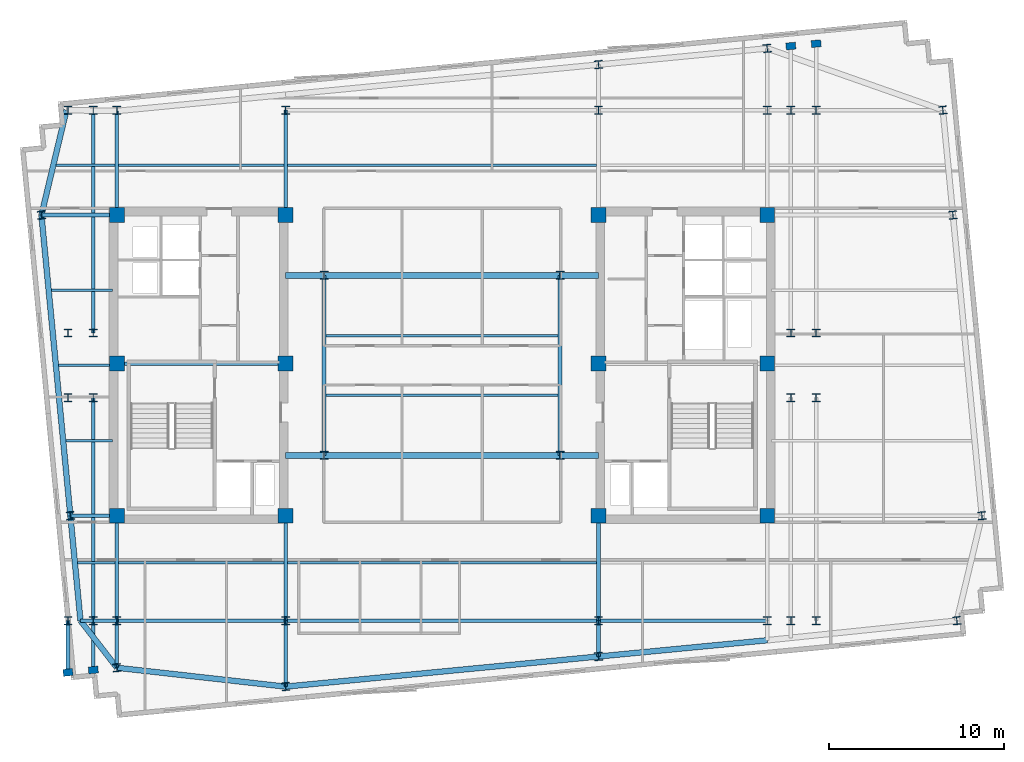
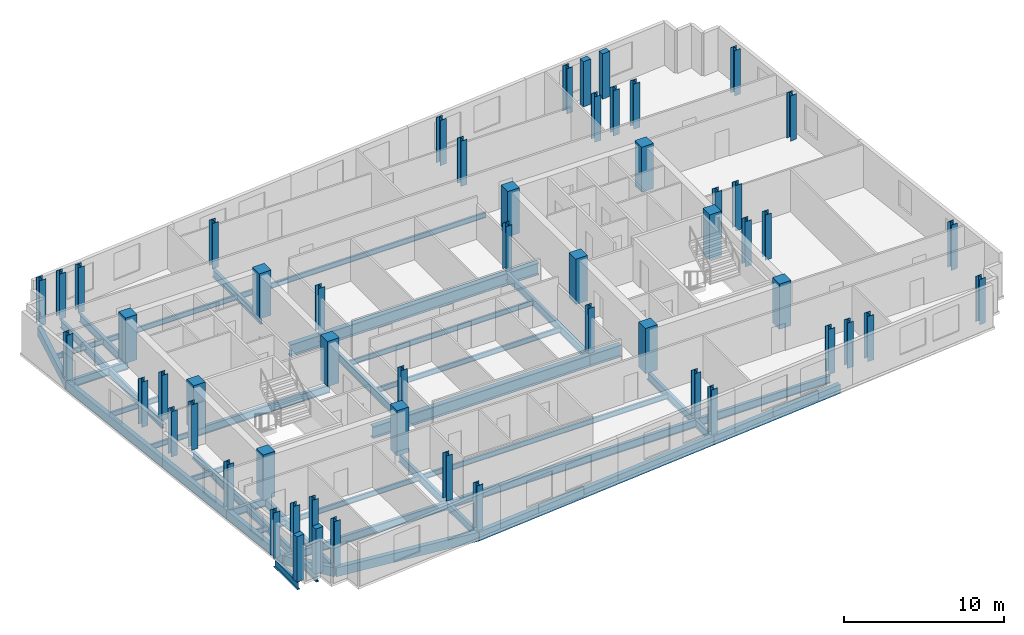
# One storey, part 1 of 9: 55 columns, 45 beams.
"""IFC4 building model written with IfcOpenShell, lengths in metres."""

from ifc_helpers import new_model, si_unit, direction, frame, origin, origin_2d, place, context, subcontext, project, spatial, rectangle, i_section, extrude, material, material_profile, profile_set, type_object, element, save


model = new_model("IFC4")

# Units and contexts
model_context = context("Model", 3, precision=1e-05, world=origin(), true_north=direction((0.0, 1.0)))
body_context = subcontext(model_context, "Body", "Model", "MODEL_VIEW")
ifc_project = project(units=[si_unit("LENGTHUNIT", "METRE"), si_unit("AREAUNIT", "SQUARE_METRE"), si_unit("VOLUMEUNIT", "CUBIC_METRE"), si_unit("PLANEANGLEUNIT", "RADIAN"), si_unit("MASSUNIT", "GRAM", prefix="KILO")], contexts=[model_context])

# Site, building, storey
site_placement = place(None, origin())
site = spatial("IfcSite", under=ifc_project, at=site_placement, CompositionType="ELEMENT")
building_placement = place(site_placement, origin())
building = spatial("IfcBuilding", under=site, at=building_placement, Name="Velakula Bourse", CompositionType="ELEMENT")
storey_placement = place(building_placement, frame((0.0, 0.0, 275.85009765625)))
storey = spatial("IfcBuildingStorey", under=building, at=storey_placement, Name="L75", CompositionType="ELEMENT", Elevation=275.85009765625)

# Columns
ifc_material_1 = material(Name="Concrete M50 (fck 50 MPa)", Category="concrete")
ifc_material_profile_1 = material_profile(ifc_material_1, rectangle(XDim=0.85009765625, YDim=0.85009765625, at=origin_2d()), Name="Concrete M50 (fck 50 MPa)")
ifc_profile_set_1 = profile_set([ifc_material_profile_1], Name="Concrete M50 (fck 50 MPa)")
column_type_1 = type_object("IfcColumnType", Name="COL-RC-850", PredefinedType="COLUMN", material=ifc_profile_set_1)
for number, where, z_axis, x_axis, name in (
    (1, (-8.949951171875, -8.60009765625, 0.0), (0.0, 0.0, 1.0), (1.0, 0.0, 0.0), "L75 Core Boundary Column 01"),
    (2, (-8.949951171875, 0.10009765625, 0.0), (0.0, 0.0, 1.0), (1.0, 0.0, 0.0), "L75 Core Boundary Column 02"),
    (3, (-8.949951171875, 8.60009765625, 0.0), (0.0, 0.0, 1.0), (1.0, 0.0, 0.0), "L75 Core Boundary Column 03"),
    (4, (-18.60009765625, -8.60009765625, 0.0), (0.0, 0.0, 1.0), (1.0, 0.0, 0.0), "L75 Core Boundary Column 04"),
    (5, (-18.60009765625, 0.10009765625, 0.0), (0.0, 0.0, 1.0), (1.0, 0.0, 0.0), "L75 Core Boundary Column 05"),
    (6, (-18.60009765625, 8.60009765625, 0.0), (0.0, 0.0, 1.0), (1.0, 0.0, 0.0), "L75 Core Boundary Column 06"),
    (7, (8.949951171875, -8.60009765625, 0.0), (0.0, 0.0, 1.0), (1.0, 0.0, 0.0), "L75 Core Boundary Column 07"),
    (8, (8.949951171875, 0.10009765625, 0.0), (0.0, 0.0, 1.0), (1.0, 0.0, 0.0), "L75 Core Boundary Column 08"),
    (9, (8.949951171875, 8.60009765625, 0.0), (0.0, 0.0, 1.0), (1.0, 0.0, 0.0), "L75 Core Boundary Column 09"),
    (10, (18.60009765625, -8.60009765625, 0.0), (0.0, 0.0, 1.0), (1.0, 0.0, 0.0), "L75 Core Boundary Column 10"),
    (11, (18.60009765625, 0.10009765625, 0.0), (0.0, 0.0, 1.0), (1.0, 0.0, 0.0), "L75 Core Boundary Column 11"),
    (12, (18.60009765625, 8.60009765625, 0.0), (0.0, 0.0, 1.0), (1.0, 0.0, 0.0), "L75 Core Boundary Column 12"),
):
    element("IfcColumn", number, at=place(storey_placement, frame(where, z_axis=z_axis, x_axis=x_axis)), inside=storey, type_object=column_type_1, Name=name, PredefinedType="COLUMN", context=body_context, shape_type="SweptSolid", body=[
        extrude(rectangle(XDim=0.85009765625, YDim=0.85009765625, at=origin_2d()), origin(), (0.0, 0.0, 1.0), 3.449951171875),
    ])
ifc_material_2 = material(Name="Steel IS 2062 Grade 350 (E350)", Category="steel")
ifc_material_profile_2 = material_profile(ifc_material_2, i_section(OverallWidth=0.449951171875, OverallDepth=0.449951171875, WebThickness=0.02197265625, FlangeThickness=0.031982421875, at=origin_2d()), Name="Steel IS 2062 Grade 350 (E350)")
ifc_profile_set_2 = profile_set([ifc_material_profile_2], Name="Steel IS 2062 Grade 350 (E350)")
column_type_2 = type_object("IfcColumnType", Name="COL-STL-450", PredefinedType="COLUMN", material=ifc_profile_set_2)
for number, where, z_axis, x_axis, name in (
    (13, (-6.75, -5.14990234375, 0.0), (0.0, 0.0, 1.0), (1.0, 0.0, 0.0), "L75 Central Spine Column 01"),
    (14, (-6.75, 5.14990234375, 0.0), (0.0, 0.0, 1.0), (1.0, 0.0, 0.0), "L75 Central Spine Column 02"),
    (15, (6.75, -5.14990234375, 0.0), (0.0, 0.0, 1.0), (1.0, 0.0, 0.0), "L75 Central Spine Column 03"),
    (16, (6.75, 5.14990234375, 0.0), (0.0, 0.0, 1.0), (1.0, 0.0, 0.0), "L75 Central Spine Column 04"),
    (17, (-21.39990234375, -14.60009765625, 0.0), (0.0, 0.0, 1.0), (1.0, 0.0, 0.0), "L75 Tower Fulcrum Column 01"),
    (18, (-21.39990234375, 14.60009765625, 0.0), (0.0, 0.0, 1.0), (1.0, 0.0, 0.0), "L75 Tower Fulcrum Column 02"),
    (19, (-19.949951171875, -14.60009765625, 0.0), (0.0, 0.0, 1.0), (1.0, 0.0, 0.0), "L75 Tower Fulcrum Column 03"),
    (20, (-19.949951171875, 14.60009765625, 0.0), (0.0, 0.0, 1.0), (1.0, 0.0, 0.0), "L75 Tower Fulcrum Column 04"),
    (21, (-18.60009765625, -14.60009765625, 0.0), (0.0, 0.0, 1.0), (1.0, 0.0, 0.0), "L75 Tower Fulcrum Column 05"),
    (22, (-18.60009765625, 14.60009765625, 0.0), (0.0, 0.0, 1.0), (1.0, 0.0, 0.0), "L75 Tower Fulcrum Column 06"),
    (23, (-8.949951171875, -14.60009765625, 0.0), (0.0, 0.0, 1.0), (1.0, 0.0, 0.0), "L75 Tower Fulcrum Column 07"),
    (24, (-8.949951171875, 14.60009765625, 0.0), (0.0, 0.0, 1.0), (1.0, 0.0, 0.0), "L75 Tower Fulcrum Column 08"),
    (25, (8.949951171875, -14.60009765625, 0.0), (0.0, 0.0, 1.0), (1.0, 0.0, 0.0), "L75 Tower Fulcrum Column 09"),
    (26, (8.949951171875, 14.60009765625, 0.0), (0.0, 0.0, 1.0), (1.0, 0.0, 0.0), "L75 Tower Fulcrum Column 10"),
    (27, (18.60009765625, -14.60009765625, 0.0), (0.0, 0.0, 1.0), (1.0, 0.0, 0.0), "L75 Tower Fulcrum Column 11"),
    (28, (18.60009765625, 14.60009765625, 0.0), (0.0, 0.0, 1.0), (1.0, 0.0, 0.0), "L75 Tower Fulcrum Column 12"),
    (29, (19.949951171875, -14.60009765625, 0.0), (0.0, 0.0, 1.0), (1.0, 0.0, 0.0), "L75 Tower Fulcrum Column 13"),
    (30, (19.949951171875, 14.60009765625, 0.0), (0.0, 0.0, 1.0), (1.0, 0.0, 0.0), "L75 Tower Fulcrum Column 14"),
    (31, (21.39990234375, -14.60009765625, 0.0), (0.0, 0.0, 1.0), (1.0, 0.0, 0.0), "L75 Tower Fulcrum Column 15"),
    (32, (21.39990234375, 14.60009765625, 0.0), (0.0, 0.0, 1.0), (1.0, 0.0, 0.0), "L75 Tower Fulcrum Column 16"),
    (33, (-21.39990234375, -1.85009765625, 0.0), (0.0, 0.0, 1.0), (1.0, 0.0, 0.0), "L75 Tower Fulcrum Column 17"),
    (34, (-21.39990234375, 1.85009765625, 0.0), (0.0, 0.0, 1.0), (1.0, 0.0, 0.0), "L75 Tower Fulcrum Column 18"),
    (35, (-19.949951171875, -1.85009765625, 0.0), (0.0, 0.0, 1.0), (1.0, 0.0, 0.0), "L75 Tower Fulcrum Column 19"),
    (36, (-19.949951171875, 1.85009765625, 0.0), (0.0, 0.0, 1.0), (1.0, 0.0, 0.0), "L75 Tower Fulcrum Column 20"),
    (37, (19.949951171875, -1.85009765625, 0.0), (0.0, 0.0, 1.0), (1.0, 0.0, 0.0), "L75 Tower Fulcrum Column 21"),
    (38, (19.949951171875, 1.85009765625, 0.0), (0.0, 0.0, 1.0), (1.0, 0.0, 0.0), "L75 Tower Fulcrum Column 22"),
    (39, (21.39990234375, -1.85009765625, 0.0), (0.0, 0.0, 1.0), (1.0, 0.0, 0.0), "L75 Tower Fulcrum Column 23"),
    (40, (21.39990234375, 1.85009765625, 0.0), (0.0, 0.0, 1.0), (1.0, 0.0, 0.0), "L75 Tower Fulcrum Column 24"),
    (41, (-18.60009765625, -17.294921875, 0.0), (0.0, 0.0, 1.0), (0.995396198367, 0.09584575252, 0.0), "L75 Block B6 Perimeter Column S1"),
    (42, (-8.949951171875, -18.375, 0.0), (0.0, 0.0, 1.0), (0.995396198367, 0.09584575252, 0.0), "L75 Block B6 Perimeter Column S2"),
    (43, (8.949951171875, -16.6513671875, 0.0), (0.0, 0.0, 1.0), (0.995396198367, 0.09584575252, 0.0), "L75 Block B6 Perimeter Column S3"),
    (44, (8.949951171875, 17.20458984375, 0.0), (0.0, 0.0, 1.0), (0.995396198367, 0.09584575252, 0.0), "L75 Block B6 Perimeter Column N3"),
    (45, (18.60009765625, 18.1337890625, 0.0), (0.0, 0.0, 1.0), (0.995396198367, 0.09584575252, 0.0), "L75 Block B6 Perimeter Column N4"),
    (46, (-21.26123046875, -8.60009765625, 0.0), (0.0, 0.0, 1.0), (0.995396198367, 0.09584575252, 0.0), "L75 Block B6 Perimeter Column W2"),
    (47, (-22.91748046875, 8.60009765625, 0.0), (0.0, 0.0, 1.0), (0.995396198367, 0.09584575252, 0.0), "L75 Block B6 Perimeter Column W3"),
    (48, (29.447265625, -14.60009765625, 0.0), (0.0, 0.0, 1.0), (0.995396198367, 0.09584575252, 0.0), "L75 Block B6 Perimeter Column E1"),
    (49, (30.87890625, -8.60009765625, 0.0), (0.0, 0.0, 1.0), (0.995396198367, 0.09584575252, 0.0), "L75 Block B6 Perimeter Column E2"),
    (50, (29.22265625, 8.60009765625, 0.0), (0.0, 0.0, 1.0), (0.995396198367, 0.09584575252, 0.0), "L75 Block B6 Perimeter Column E3"),
    (51, (28.64501953125, 14.60009765625, 0.0), (0.0, 0.0, 1.0), (0.995396198367, 0.09584575252, 0.0), "L75 Block B6 Perimeter Column E4"),
):
    element("IfcColumn", number, at=place(storey_placement, frame(where, z_axis=z_axis, x_axis=x_axis)), inside=storey, type_object=column_type_2, Name=name, PredefinedType="COLUMN", context=body_context, shape_type="SweptSolid", body=[
        extrude(i_section(OverallWidth=0.449951171875, OverallDepth=0.449951171875, WebThickness=0.02197265625, FlangeThickness=0.031982421875, at=origin_2d()), origin(), (0.0, 0.0, 1.0), 3.449951171875),
    ])
ifc_material_3 = material(Name="Precast concrete M45 (fck 45 MPa)", Category="concrete")
ifc_material_profile_3 = material_profile(ifc_material_3, rectangle(XDim=0.550048828125, YDim=0.39990234375, at=origin_2d()), Name="Precast concrete M45 (fck 45 MPa)")
ifc_profile_set_3 = profile_set([ifc_material_profile_3], Name="Precast concrete M45 (fck 45 MPa)")
column_type_3 = type_object("IfcColumnType", Name="PIL-BRICK-550", PredefinedType="PILASTER", material=ifc_profile_set_3)
for number, where, z_axis, x_axis, name in (
    (52, (-21.39990234375, -17.564453125, 0.0), (0.0, 0.0, 1.0), (0.995396198367, 0.09584575252, 0.0), "L75 Brick Pier Pilaster 01"),
    (53, (-19.949951171875, -17.4248046875, 0.0), (0.0, 0.0, 1.0), (0.995396198367, 0.09584575252, 0.0), "L75 Brick Pier Pilaster 02"),
    (54, (19.949951171875, 18.263671875, 0.0), (0.0, 0.0, 1.0), (0.995396198367, 0.09584575252, 0.0), "L75 Brick Pier Pilaster 07"),
    (55, (21.39990234375, 18.4033203125, 0.0), (0.0, 0.0, 1.0), (0.995396198367, 0.09584575252, 0.0), "L75 Brick Pier Pilaster 08"),
):
    element("IfcColumn", number, at=place(storey_placement, frame(where, z_axis=z_axis, x_axis=x_axis)), inside=storey, type_object=column_type_3, Name=name, PredefinedType="PILASTER", context=body_context, shape_type="SweptSolid", body=[
        extrude(rectangle(XDim=0.550048828125, YDim=0.39990234375, at=origin_2d()), origin(), (0.0, 0.0, 1.0), 3.449951171875),
    ])

# Beams
ifc_material_profile_4 = material_profile(ifc_material_2, i_section(OverallWidth=0.2099609375, OverallDepth=0.60009765625, WebThickness=0.011962890625, FlangeThickness=0.020751953125, at=origin_2d()), Name="Steel IS 2062 Grade 350 (E350)")
ifc_profile_set_4 = profile_set([ifc_material_profile_4], Name="Steel IS 2062 Grade 350 (E350)")
beam_type_1 = type_object("IfcBeamType", Name="BM-GRD-600L", PredefinedType="BEAM", material=ifc_profile_set_4)
beam_1_placement = place(storey_placement, frame((-18.60009765625, 0.10009765625, -0.47998046875), z_axis=(1.0, 0.0, 0.0), x_axis=(0.0, 1.0, 0.0)))
element("IfcBeam", 56, at=beam_1_placement, inside=storey, type_object=beam_type_1, Name="L75 Primary Backbone Girder CRW-M", PredefinedType="BEAM", context=body_context, shape_type="SweptSolid", body=[
    extrude(i_section(OverallWidth=0.2099609375, OverallDepth=0.60009765625, WebThickness=0.011962890625, FlangeThickness=0.020751953125, at=origin_2d()), origin(), (0.0, 0.0, 1.0), 9.650146484375),
])
for number, where, z_axis, x_axis, name in (
    (57, (-6.75, -5.14990234375, -0.47998046875), (0.0, 1.0, 0.0), (-1.0, 0.0, 0.0), "L75 Primary Backbone Girder SPN-W"),
    (58, (6.75, -5.14990234375, -0.47998046875), (0.0, 1.0, 0.0), (-1.0, 0.0, 0.0), "L75 Primary Backbone Girder SPN-E"),
):
    element("IfcBeam", number, at=place(storey_placement, frame(where, z_axis=z_axis, x_axis=x_axis)), inside=storey, type_object=beam_type_1, Name=name, PredefinedType="BEAM", context=body_context, shape_type="SweptSolid", body=[
        extrude(i_section(OverallWidth=0.2099609375, OverallDepth=0.60009765625, WebThickness=0.011962890625, FlangeThickness=0.020751953125, at=origin_2d()), origin(), (0.0, 0.0, 1.0), 10.2998046875),
    ])
beam_2_placement = place(storey_placement, frame((-18.60009765625, -14.60009765625, -0.47998046875), z_axis=(0.0, 1.0, 0.0), x_axis=(-1.0, 0.0, 0.0)))
element("IfcBeam", 59, at=beam_2_placement, inside=storey, type_object=beam_type_1, Name="L75 Fulcrum Grid Girder FLC-WS", PredefinedType="BEAM", context=body_context, shape_type="SweptSolid", body=[
    extrude(i_section(OverallWidth=0.2099609375, OverallDepth=0.60009765625, WebThickness=0.011962890625, FlangeThickness=0.020751953125, at=origin_2d()), origin(), (0.0, 0.0, 1.0), 6.0),
])
beam_3_placement = place(storey_placement, frame((-18.60009765625, 8.60009765625, -0.47998046875), z_axis=(0.0, 1.0, 0.0), x_axis=(-1.0, 0.0, 0.0)))
element("IfcBeam", 60, at=beam_3_placement, inside=storey, type_object=beam_type_1, Name="L75 Fulcrum Grid Girder FLC-WN", PredefinedType="BEAM", context=body_context, shape_type="SweptSolid", body=[
    extrude(i_section(OverallWidth=0.2099609375, OverallDepth=0.60009765625, WebThickness=0.011962890625, FlangeThickness=0.020751953125, at=origin_2d()), origin(), (0.0, 0.0, 1.0), 5.95166015625),
])
for number, where, z_axis, x_axis, name in (
    (61, (-8.949951171875, -14.60009765625, -0.47998046875), (0.0, 1.0, 0.0), (-1.0, 0.0, 0.0), "L75 Fulcrum Grid Girder FLC-WCS"),
    (62, (-8.949951171875, 8.60009765625, -0.47998046875), (0.0, 1.0, 0.0), (-1.0, 0.0, 0.0), "L75 Fulcrum Grid Girder FLC-WCN"),
    (63, (8.949951171875, -14.60009765625, -0.47998046875), (0.0, 1.0, 0.0), (-1.0, 0.0, 0.0), "L75 Fulcrum Grid Girder FLC-ECS"),
):
    element("IfcBeam", number, at=place(storey_placement, frame(where, z_axis=z_axis, x_axis=x_axis)), inside=storey, type_object=beam_type_1, Name=name, PredefinedType="BEAM", context=body_context, shape_type="SweptSolid", body=[
        extrude(i_section(OverallWidth=0.2099609375, OverallDepth=0.60009765625, WebThickness=0.011962890625, FlangeThickness=0.020751953125, at=origin_2d()), origin(), (0.0, 0.0, 1.0), 6.0),
    ])
beam_4_placement = place(storey_placement, frame((-18.60009765625, -14.60009765625, -0.47998046875), z_axis=(1.0, 0.0, 0.0), x_axis=(0.0, 1.0, 0.0)))
element("IfcBeam", 64, at=beam_4_placement, inside=storey, type_object=beam_type_1, Name="L75 Fulcrum Grid Girder FLC-S1", PredefinedType="BEAM", context=body_context, shape_type="SweptSolid", body=[
    extrude(i_section(OverallWidth=0.2099609375, OverallDepth=0.60009765625, WebThickness=0.011962890625, FlangeThickness=0.020751953125, at=origin_2d()), origin(), (0.0, 0.0, 1.0), 9.650146484375),
])
beam_5_placement = place(storey_placement, frame((-8.949951171875, -14.60009765625, -0.47998046875), z_axis=(1.0, 0.0, 0.0), x_axis=(0.0, 1.0, 0.0)))
element("IfcBeam", 65, at=beam_5_placement, inside=storey, type_object=beam_type_1, Name="L75 Fulcrum Grid Girder FLC-S2", PredefinedType="BEAM", context=body_context, shape_type="SweptSolid", body=[
    extrude(i_section(OverallWidth=0.2099609375, OverallDepth=0.60009765625, WebThickness=0.011962890625, FlangeThickness=0.020751953125, at=origin_2d()), origin(), (0.0, 0.0, 1.0), 17.89990234375),
])
beam_6_placement = place(storey_placement, frame((8.949951171875, -14.60009765625, -0.47998046875), z_axis=(1.0, 0.0, 0.0), x_axis=(0.0, 1.0, 0.0)))
element("IfcBeam", 66, at=beam_6_placement, inside=storey, type_object=beam_type_1, Name="L75 Fulcrum Grid Girder FLC-S3", PredefinedType="BEAM", context=body_context, shape_type="SweptSolid", body=[
    extrude(i_section(OverallWidth=0.2099609375, OverallDepth=0.60009765625, WebThickness=0.011962890625, FlangeThickness=0.020751953125, at=origin_2d()), origin(), (0.0, 0.0, 1.0), 9.650146484375),
])
beam_7_placement = place(storey_placement, frame((-19.949951171875, -14.60009765625, -0.47998046875), z_axis=(0.0, 1.0, 0.0), x_axis=(-1.0, 0.0, 0.0)))
element("IfcBeam", 67, at=beam_7_placement, inside=storey, type_object=beam_type_1, Name="L75 Fulcrum Grid Girder FLC-PSW2", PredefinedType="BEAM", context=body_context, shape_type="SweptSolid", body=[
    extrude(i_section(OverallWidth=0.2099609375, OverallDepth=0.60009765625, WebThickness=0.011962890625, FlangeThickness=0.020751953125, at=origin_2d()), origin(), (0.0, 0.0, 1.0), 12.75),
])
beam_8_placement = place(storey_placement, frame((-19.949951171875, 1.85009765625, -0.47998046875), z_axis=(0.0, 1.0, 0.0), x_axis=(-1.0, 0.0, 0.0)))
element("IfcBeam", 68, at=beam_8_placement, inside=storey, type_object=beam_type_1, Name="L75 Fulcrum Grid Girder FLC-PNW2", PredefinedType="BEAM", context=body_context, shape_type="SweptSolid", body=[
    extrude(i_section(OverallWidth=0.2099609375, OverallDepth=0.60009765625, WebThickness=0.011962890625, FlangeThickness=0.020751953125, at=origin_2d()), origin(), (0.0, 0.0, 1.0), 12.72412109375),
])
beam_9_placement = place(storey_placement, frame((-18.60009765625, -14.60009765625, -0.47998046875), z_axis=(0.0, -1.0, 0.0), x_axis=(1.0, 0.0, 0.0)))
element("IfcBeam", 69, at=beam_9_placement, inside=storey, type_object=beam_type_1, Name="L75 Perimeter Tie Girder S1", PredefinedType="BEAM", context=body_context, shape_type="SweptSolid", body=[
    extrude(i_section(OverallWidth=0.2099609375, OverallDepth=0.60009765625, WebThickness=0.011962890625, FlangeThickness=0.020751953125, at=origin_2d()), origin(), (0.0, 0.0, 1.0), 2.69482421875),
])
beam_10_placement = place(storey_placement, frame((-8.949951171875, -14.60009765625, -0.47998046875), z_axis=(0.0, -1.0, 0.0), x_axis=(1.0, 0.0, 0.0)))
element("IfcBeam", 70, at=beam_10_placement, inside=storey, type_object=beam_type_1, Name="L75 Perimeter Tie Girder S2", PredefinedType="BEAM", context=body_context, shape_type="SweptSolid", body=[
    extrude(i_section(OverallWidth=0.2099609375, OverallDepth=0.60009765625, WebThickness=0.011962890625, FlangeThickness=0.020751953125, at=origin_2d()), origin(), (0.0, 0.0, 1.0), 3.77490234375),
])
beam_11_placement = place(storey_placement, frame((8.949951171875, -14.60009765625, -0.47998046875), z_axis=(0.0, -1.0, 0.0), x_axis=(1.0, 0.0, 0.0)))
element("IfcBeam", 71, at=beam_11_placement, inside=storey, type_object=beam_type_1, Name="L75 Perimeter Tie Girder S3", PredefinedType="BEAM", context=body_context, shape_type="SweptSolid", body=[
    extrude(i_section(OverallWidth=0.2099609375, OverallDepth=0.60009765625, WebThickness=0.011962890625, FlangeThickness=0.020751953125, at=origin_2d()), origin(), (0.0, 0.0, 1.0), 2.05126953125),
])
beam_12_placement = place(storey_placement, frame((-18.60009765625, -14.60009765625, -0.47998046875), z_axis=(-1.0, 0.0, 0.0), x_axis=(0.0, -1.0, 0.0)))
element("IfcBeam", 72, at=beam_12_placement, inside=storey, type_object=beam_type_1, Name="L75 Perimeter Tie Girder W1", PredefinedType="BEAM", context=body_context, shape_type="SweptSolid", body=[
    extrude(i_section(OverallWidth=0.2099609375, OverallDepth=0.60009765625, WebThickness=0.011962890625, FlangeThickness=0.020751953125, at=origin_2d()), origin(), (0.0, 0.0, 1.0), 2.08349609375),
])
beam_13_placement = place(storey_placement, frame((-18.60009765625, -8.60009765625, -0.47998046875), z_axis=(-1.0, 0.0, 0.0), x_axis=(0.0, -1.0, 0.0)))
element("IfcBeam", 73, at=beam_13_placement, inside=storey, type_object=beam_type_1, Name="L75 Perimeter Tie Girder W2", PredefinedType="BEAM", context=body_context, shape_type="SweptSolid", body=[
    extrude(i_section(OverallWidth=0.2099609375, OverallDepth=0.60009765625, WebThickness=0.011962890625, FlangeThickness=0.020751953125, at=origin_2d()), origin(), (0.0, 0.0, 1.0), 2.6611328125),
])
beam_14_placement = place(storey_placement, frame((-18.60009765625, 8.60009765625, -0.47998046875), z_axis=(-1.0, 0.0, 0.0), x_axis=(0.0, -1.0, 0.0)))
element("IfcBeam", 74, at=beam_14_placement, inside=storey, type_object=beam_type_1, Name="L75 Perimeter Tie Girder W3", PredefinedType="BEAM", context=body_context, shape_type="SweptSolid", body=[
    extrude(i_section(OverallWidth=0.2099609375, OverallDepth=0.60009765625, WebThickness=0.011962890625, FlangeThickness=0.020751953125, at=origin_2d()), origin(), (0.0, 0.0, 1.0), 4.3173828125),
])
beam_15_placement = place(storey_placement, frame((-21.39990234375, -14.60009765625, -0.47998046875), z_axis=(0.0, -1.0, 0.0), x_axis=(1.0, 0.0, 0.0)))
element("IfcBeam", 75, at=beam_15_placement, inside=storey, type_object=beam_type_1, Name="L75 Perimeter Tie Girder P01", PredefinedType="BEAM", context=body_context, shape_type="SweptSolid", body=[
    extrude(i_section(OverallWidth=0.2099609375, OverallDepth=0.60009765625, WebThickness=0.011962890625, FlangeThickness=0.020751953125, at=origin_2d()), origin(), (0.0, 0.0, 1.0), 2.96435546875),
])
beam_16_placement = place(storey_placement, frame((-19.949951171875, -14.60009765625, -0.47998046875), z_axis=(0.0, -1.0, 0.0), x_axis=(1.0, 0.0, 0.0)))
element("IfcBeam", 76, at=beam_16_placement, inside=storey, type_object=beam_type_1, Name="L75 Perimeter Tie Girder P02", PredefinedType="BEAM", context=body_context, shape_type="SweptSolid", body=[
    extrude(i_section(OverallWidth=0.2099609375, OverallDepth=0.60009765625, WebThickness=0.011962890625, FlangeThickness=0.020751953125, at=origin_2d()), origin(), (0.0, 0.0, 1.0), 2.82470703125),
])
ifc_material_profile_5 = material_profile(ifc_material_2, i_section(OverallWidth=0.35009765625, OverallDepth=0.89990234375, WebThickness=0.02001953125, FlangeThickness=0.031982421875, at=origin_2d()), Name="Steel IS 2062 Grade 350 (E350)")
ifc_profile_set_5 = profile_set([ifc_material_profile_5], Name="Steel IS 2062 Grade 350 (E350)")
beam_type_2 = type_object("IfcBeamType", Name="BM-LNK-900", PredefinedType="BEAM", material=ifc_profile_set_5)
beam_17_placement = place(storey_placement, frame((-8.949951171875, -5.14990234375, -0.630126953125), z_axis=(1.0, 0.0, 0.0), x_axis=(0.0, 1.0, 0.0)))
element("IfcBeam", 77, at=beam_17_placement, inside=storey, type_object=beam_type_2, Name="L75 Primary Backbone Girder LNK-S1", PredefinedType="BEAM", context=body_context, shape_type="SweptSolid", body=[
    extrude(i_section(OverallWidth=0.35009765625, OverallDepth=0.89990234375, WebThickness=0.02001953125, FlangeThickness=0.031982421875, at=origin_2d()), origin(), (0.0, 0.0, 1.0), 2.199951171875),
])
beam_18_placement = place(storey_placement, frame((-6.75, -5.14990234375, -0.630126953125), z_axis=(1.0, 0.0, 0.0), x_axis=(0.0, 1.0, 0.0)))
element("IfcBeam", 78, at=beam_18_placement, inside=storey, type_object=beam_type_2, Name="L75 Primary Backbone Girder LNK-S2", PredefinedType="BEAM", context=body_context, shape_type="SweptSolid", body=[
    extrude(i_section(OverallWidth=0.35009765625, OverallDepth=0.89990234375, WebThickness=0.02001953125, FlangeThickness=0.031982421875, at=origin_2d()), origin(), (0.0, 0.0, 1.0), 13.5),
])
for number, where, z_axis, x_axis, name in (
    (79, (6.75, -5.14990234375, -0.630126953125), (1.0, 0.0, 0.0), (0.0, 1.0, 0.0), "L75 Primary Backbone Girder LNK-S3"),
    (80, (-8.949951171875, 5.14990234375, -0.630126953125), (1.0, 0.0, 0.0), (0.0, 1.0, 0.0), "L75 Primary Backbone Girder LNK-N1"),
):
    element("IfcBeam", number, at=place(storey_placement, frame(where, z_axis=z_axis, x_axis=x_axis)), inside=storey, type_object=beam_type_2, Name=name, PredefinedType="BEAM", context=body_context, shape_type="SweptSolid", body=[
        extrude(i_section(OverallWidth=0.35009765625, OverallDepth=0.89990234375, WebThickness=0.02001953125, FlangeThickness=0.031982421875, at=origin_2d()), origin(), (0.0, 0.0, 1.0), 2.199951171875),
    ])
beam_19_placement = place(storey_placement, frame((-6.75, 5.14990234375, -0.630126953125), z_axis=(1.0, 0.0, 0.0), x_axis=(0.0, 1.0, 0.0)))
element("IfcBeam", 81, at=beam_19_placement, inside=storey, type_object=beam_type_2, Name="L75 Primary Backbone Girder LNK-N2", PredefinedType="BEAM", context=body_context, shape_type="SweptSolid", body=[
    extrude(i_section(OverallWidth=0.35009765625, OverallDepth=0.89990234375, WebThickness=0.02001953125, FlangeThickness=0.031982421875, at=origin_2d()), origin(), (0.0, 0.0, 1.0), 13.5),
])
beam_20_placement = place(storey_placement, frame((6.75, 5.14990234375, -0.630126953125), z_axis=(1.0, 0.0, 0.0), x_axis=(0.0, 1.0, 0.0)))
element("IfcBeam", 82, at=beam_20_placement, inside=storey, type_object=beam_type_2, Name="L75 Primary Backbone Girder LNK-N3", PredefinedType="BEAM", context=body_context, shape_type="SweptSolid", body=[
    extrude(i_section(OverallWidth=0.35009765625, OverallDepth=0.89990234375, WebThickness=0.02001953125, FlangeThickness=0.031982421875, at=origin_2d()), origin(), (0.0, 0.0, 1.0), 2.199951171875),
])
ifc_material_profile_6 = material_profile(ifc_material_2, i_section(OverallWidth=0.139892578125, OverallDepth=0.39990234375, WebThickness=0.0087890625, FlangeThickness=0.01611328125, at=origin_2d()), Name="Steel IS 2062 Grade 350 (E350)")
ifc_profile_set_6 = profile_set([ifc_material_profile_6], Name="Steel IS 2062 Grade 350 (E350)")
beam_type_3 = type_object("IfcBeamType", Name="JST-TWR-400", PredefinedType="JOIST", material=ifc_profile_set_6)
beam_21_placement = place(storey_placement, frame((-20.840576171875, -11.300048828125, -0.380126953125), z_axis=(1.0, 0.0, 0.0), x_axis=(0.0, 1.0, 0.0)))
element("IfcBeam", 83, at=beam_21_placement, inside=storey, type_object=beam_type_3, Name="L75 Trading Floor Composite Joist 03", PredefinedType="JOIST", context=body_context, shape_type="SweptSolid", body=[
    extrude(i_section(OverallWidth=0.139892578125, OverallDepth=0.39990234375, WebThickness=0.0087890625, FlangeThickness=0.01611328125, at=origin_2d()), origin(), (0.0, 0.0, 1.0), 2.135498046875),
])
beam_22_placement = place(storey_placement, frame((-18.4951171875, -11.300048828125, -0.380126953125), z_axis=(1.0, 0.0, 0.0), x_axis=(0.0, 1.0, 0.0)))
element("IfcBeam", 84, at=beam_22_placement, inside=storey, type_object=beam_type_3, Name="L75 Trading Floor Composite Joist 04", PredefinedType="JOIST", context=body_context, shape_type="SweptSolid", body=[
    extrude(i_section(OverallWidth=0.139892578125, OverallDepth=0.39990234375, WebThickness=0.0087890625, FlangeThickness=0.01611328125, at=origin_2d()), origin(), (0.0, 0.0, 1.0), 9.440185546875),
])
beam_23_placement = place(storey_placement, frame((-8.844970703125, -11.300048828125, -0.380126953125), z_axis=(1.0, 0.0, 0.0), x_axis=(0.0, 1.0, 0.0)))
element("IfcBeam", 85, at=beam_23_placement, inside=storey, type_object=beam_type_3, Name="L75 Trading Floor Composite Joist 05", PredefinedType="JOIST", context=body_context, shape_type="SweptSolid", body=[
    extrude(i_section(OverallWidth=0.139892578125, OverallDepth=0.39990234375, WebThickness=0.0087890625, FlangeThickness=0.01611328125, at=origin_2d()), origin(), (0.0, 0.0, 1.0), 17.68994140625),
])
beam_24_placement = place(storey_placement, frame((-22.072998046875, 11.449951171875, -0.380126953125), z_axis=(1.0, 0.0, 0.0), x_axis=(0.0, 1.0, 0.0)))
element("IfcBeam", 86, at=beam_24_placement, inside=storey, type_object=beam_type_3, Name="L75 Trading Floor Composite Joist 08", PredefinedType="JOIST", context=body_context, shape_type="SweptSolid", body=[
    extrude(i_section(OverallWidth=0.139892578125, OverallDepth=0.39990234375, WebThickness=0.0087890625, FlangeThickness=0.01611328125, at=origin_2d()), origin(), (0.0, 0.0, 1.0), 3.367919921875),
])
beam_25_placement = place(storey_placement, frame((-18.4951171875, 11.449951171875, -0.380126953125), z_axis=(1.0, 0.0, 0.0), x_axis=(0.0, 1.0, 0.0)))
element("IfcBeam", 87, at=beam_25_placement, inside=storey, type_object=beam_type_3, Name="L75 Trading Floor Composite Joist 09", PredefinedType="JOIST", context=body_context, shape_type="SweptSolid", body=[
    extrude(i_section(OverallWidth=0.139892578125, OverallDepth=0.39990234375, WebThickness=0.0087890625, FlangeThickness=0.01611328125, at=origin_2d()), origin(), (0.0, 0.0, 1.0), 9.440185546875),
])
beam_26_placement = place(storey_placement, frame((-8.844970703125, 11.449951171875, -0.380126953125), z_axis=(1.0, 0.0, 0.0), x_axis=(0.0, 1.0, 0.0)))
element("IfcBeam", 88, at=beam_26_placement, inside=storey, type_object=beam_type_3, Name="L75 Trading Floor Composite Joist 10", PredefinedType="JOIST", context=body_context, shape_type="SweptSolid", body=[
    extrude(i_section(OverallWidth=0.139892578125, OverallDepth=0.39990234375, WebThickness=0.0087890625, FlangeThickness=0.01611328125, at=origin_2d()), origin(), (0.0, 0.0, 1.0), 17.68994140625),
])
for number, where, z_axis, x_axis, name in (
    (89, (-6.64501953125, -1.699951171875, -0.380126953125), (1.0, 0.0, 0.0), (0.0, 1.0, 0.0), "L75 Trading Floor Composite Joist 14"),
    (90, (-6.64501953125, 1.699951171875, -0.380126953125), (1.0, 0.0, 0.0), (0.0, 1.0, 0.0), "L75 Trading Floor Composite Joist 15"),
):
    element("IfcBeam", number, at=place(storey_placement, frame(where, z_axis=z_axis, x_axis=x_axis)), inside=storey, type_object=beam_type_3, Name=name, PredefinedType="JOIST", context=body_context, shape_type="SweptSolid", body=[
        extrude(i_section(OverallWidth=0.139892578125, OverallDepth=0.39990234375, WebThickness=0.0087890625, FlangeThickness=0.01611328125, at=origin_2d()), origin(), (0.0, 0.0, 1.0), 13.2900390625),
    ])
beam_27_placement = place(storey_placement, frame((-21.514404296875, -4.300048828125, -0.380126953125), z_axis=(1.0, 0.0, 0.0), x_axis=(0.0, 1.0, 0.0)))
element("IfcBeam", 91, at=beam_27_placement, inside=storey, type_object=beam_type_3, Name="L75 Trading Floor Composite Joist 16", PredefinedType="JOIST", context=body_context, shape_type="SweptSolid", body=[
    extrude(i_section(OverallWidth=0.139892578125, OverallDepth=0.39990234375, WebThickness=0.0087890625, FlangeThickness=0.01611328125, at=origin_2d()), origin(), (0.0, 0.0, 1.0), 2.664306640625),
])
beam_28_placement = place(storey_placement, frame((-21.9287109375, 0.0, -0.380126953125), z_axis=(1.0, 0.0, 0.0), x_axis=(0.0, 1.0, 0.0)))
element("IfcBeam", 92, at=beam_28_placement, inside=storey, type_object=beam_type_3, Name="L75 Trading Floor Composite Joist 18", PredefinedType="JOIST", context=body_context, shape_type="SweptSolid", body=[
    extrude(i_section(OverallWidth=0.139892578125, OverallDepth=0.39990234375, WebThickness=0.0087890625, FlangeThickness=0.01611328125, at=origin_2d()), origin(), (0.0, 0.0, 1.0), 3.07861328125),
])
beam_29_placement = place(storey_placement, frame((-22.342529296875, 4.300048828125, -0.380126953125), z_axis=(1.0, 0.0, 0.0), x_axis=(0.0, 1.0, 0.0)))
element("IfcBeam", 93, at=beam_29_placement, inside=storey, type_object=beam_type_3, Name="L75 Trading Floor Composite Joist 20", PredefinedType="JOIST", context=body_context, shape_type="SweptSolid", body=[
    extrude(i_section(OverallWidth=0.139892578125, OverallDepth=0.39990234375, WebThickness=0.0087890625, FlangeThickness=0.01611328125, at=origin_2d()), origin(), (0.0, 0.0, 1.0), 3.492431640625),
])
ifc_material_profile_7 = material_profile(ifc_material_3, rectangle(XDim=0.320068359375, YDim=0.679931640625, at=origin_2d()), Name="Precast concrete M45 (fck 45 MPa)")
ifc_profile_set_7 = profile_set([ifc_material_profile_7], Name="Precast concrete M45 (fck 45 MPa)")
beam_type_4 = type_object("IfcBeamType", Name="SPN-BRICK-680", PredefinedType="SPANDREL", material=ifc_profile_set_7)
beam_30_placement = place(storey_placement, frame((-18.60009765625, -17.294921875, -0.52001953125), z_axis=(0.993794803874, -0.111228988093, 0.0), x_axis=(0.111228988093, 0.993794803874, 0.0)))
element("IfcBeam", 94, at=beam_30_placement, inside=storey, type_object=beam_type_4, Name="L75 Brick-Faced Precast Spandrel S1-S2", PredefinedType="SPANDREL", context=body_context, shape_type="SweptSolid", body=[
    extrude(rectangle(XDim=0.320068359375, YDim=0.679931640625, at=origin_2d()), origin(), (0.0, 0.0, 1.0), 9.71044921875),
])
beam_31_placement = place(storey_placement, frame((-8.949951171875, -18.375, -0.52001953125), z_axis=(0.995395836254, 0.095849513134, 0.0), x_axis=(-0.095849513134, 0.995395836254, 0.0)))
element("IfcBeam", 95, at=beam_31_placement, inside=storey, type_object=beam_type_4, Name="L75 Brick-Faced Precast Spandrel S2-S3", PredefinedType="SPANDREL", context=body_context, shape_type="SweptSolid", body=[
    extrude(rectangle(XDim=0.320068359375, YDim=0.679931640625, at=origin_2d()), origin(), (0.0, 0.0, 1.0), 17.982666015625),
])
beam_32_placement = place(storey_placement, frame((8.949951171875, -16.6513671875, -0.52001953125), z_axis=(0.99539623971, 0.095845323155, 0.0), x_axis=(-0.095845323155, 0.99539623971, 0.0)))
element("IfcBeam", 96, at=beam_32_placement, inside=storey, type_object=beam_type_4, Name="L75 Brick-Faced Precast Spandrel S3-S4", PredefinedType="SPANDREL", context=body_context, shape_type="SweptSolid", body=[
    extrude(rectangle(XDim=0.320068359375, YDim=0.679931640625, at=origin_2d()), origin(), (0.0, 0.0, 1.0), 9.69482421875),
])
beam_33_placement = place(storey_placement, frame((-20.68359375, -14.60009765625, -0.52001953125), z_axis=(-0.095829714309, 0.995397742541, 0.0), x_axis=(-0.995397742541, -0.095829714309, 0.0)))
element("IfcBeam", 97, at=beam_33_placement, inside=storey, type_object=beam_type_4, Name="L75 Brick-Faced Precast Spandrel W1-W2", PredefinedType="SPANDREL", context=body_context, shape_type="SweptSolid", body=[
    extrude(rectangle(XDim=0.320068359375, YDim=0.679931640625, at=origin_2d()), origin(), (0.0, 0.0, 1.0), 6.02783203125),
])
beam_34_placement = place(storey_placement, frame((-21.26123046875, -8.60009765625, -0.52001953125), z_axis=(-0.095849167925, 0.995395869495, 0.0), x_axis=(-0.995395869495, -0.095849167925, 0.0)))
element("IfcBeam", 98, at=beam_34_placement, inside=storey, type_object=beam_type_4, Name="L75 Brick-Faced Precast Spandrel W2-W3", PredefinedType="SPANDREL", context=body_context, shape_type="SweptSolid", body=[
    extrude(rectangle(XDim=0.320068359375, YDim=0.679931640625, at=origin_2d()), origin(), (0.0, 0.0, 1.0), 17.27978515625),
])
beam_35_placement = place(storey_placement, frame((-22.91748046875, 8.60009765625, -0.52001953125), z_axis=(0.232091371601, 0.972693988482, 0.0), x_axis=(-0.972693988482, 0.232091371601, 0.0)))
element("IfcBeam", 99, at=beam_35_placement, inside=storey, type_object=beam_type_4, Name="L75 Brick-Faced Precast Spandrel W3-W4", PredefinedType="SPANDREL", context=body_context, shape_type="SweptSolid", body=[
    extrude(rectangle(XDim=0.320068359375, YDim=0.679931640625, at=origin_2d()), origin(), (0.0, 0.0, 1.0), 6.16845703125),
])
beam_36_placement = place(storey_placement, frame((-20.68359375, -14.60009765625, -0.52001953125), z_axis=(0.61165554427, -0.791124197053, 0.0), x_axis=(0.791124197053, 0.61165554427, 0.0)))
element("IfcBeam", 100, at=beam_36_placement, inside=storey, type_object=beam_type_4, Name="L75 Brick-Faced Precast Spandrel W1-S1", PredefinedType="SPANDREL", context=body_context, shape_type="SweptSolid", body=[
    extrude(rectangle(XDim=0.320068359375, YDim=0.679931640625, at=origin_2d()), origin(), (0.0, 0.0, 1.0), 3.40625),
])

save(model, "model.ifc")
